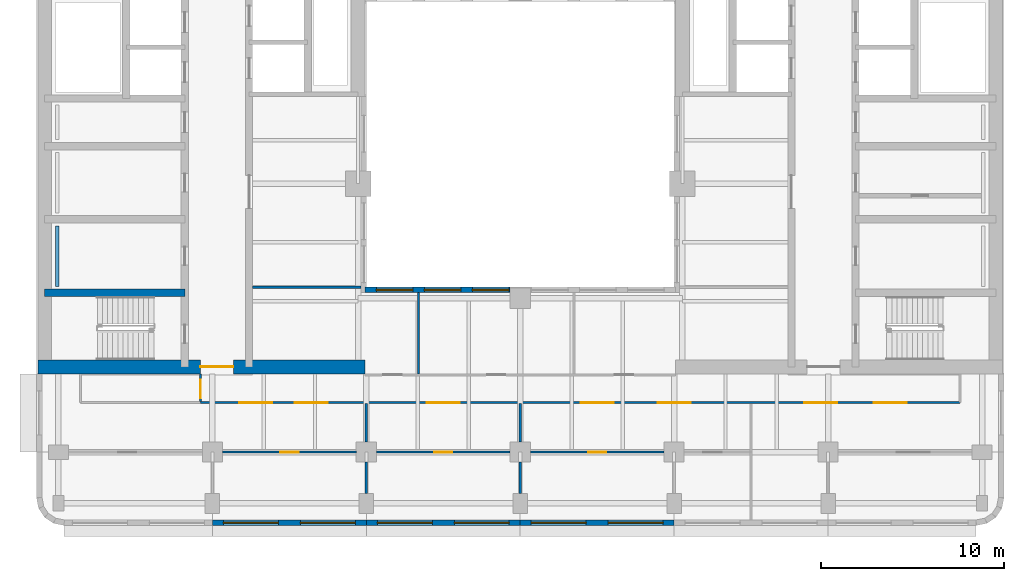
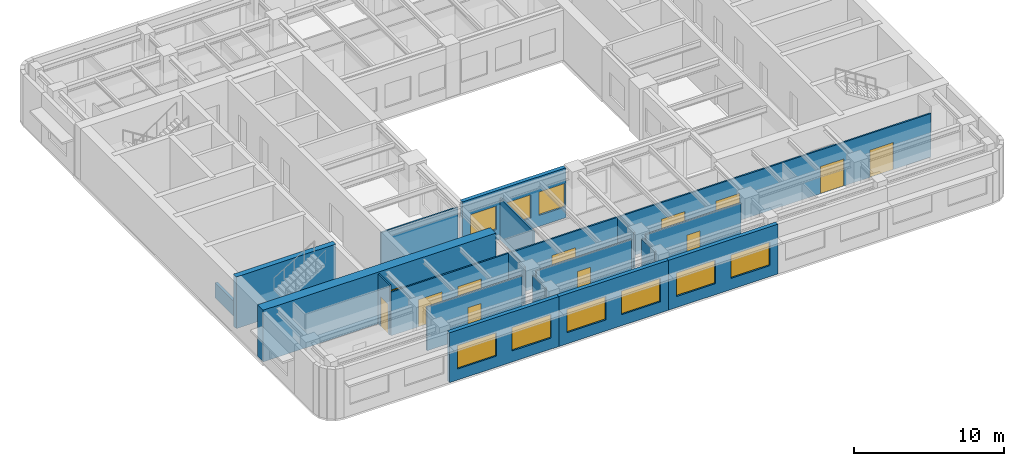
# One storey, part 3 of 11: 18 walls, 12 doors, 9 windows, 21 openings.
"""IFC4 building model written with IfcOpenShell, lengths in metres."""

from ifc_helpers import new_model, si_unit, direction, frame, frame_2d, origin, place, context, subcontext, project, spatial, rectangle, extrude, material, layer, layer_set, type_object, element, fill, save


model = new_model("IFC4")

# Units and contexts
model_context = context("Model", 3, precision=1e-05, world=origin(), true_north=direction((0.0, 1.0)))
body_context = subcontext(model_context, "Body", "Model", "MODEL_VIEW")
ifc_project = project(units=[si_unit("LENGTHUNIT", "METRE"), si_unit("AREAUNIT", "SQUARE_METRE"), si_unit("VOLUMEUNIT", "CUBIC_METRE"), si_unit("PLANEANGLEUNIT", "RADIAN"), si_unit("MASSUNIT", "GRAM", prefix="KILO")], contexts=[model_context])

# Site, building, storey
site_placement = place(None, origin())
site = spatial("IfcSite", under=ifc_project, at=site_placement, CompositionType="ELEMENT")
building_placement = place(site_placement, origin())
building = spatial("IfcBuilding", under=site, at=building_placement, Name="Claustro Exchange Tower", CompositionType="ELEMENT")
storey_placement = place(building_placement, frame((0.0, 0.0, 219.60009765625)))
storey = spatial("IfcBuildingStorey", under=building, at=storey_placement, Name="L50", CompositionType="ELEMENT", Elevation=219.60009765625)

# Wall
ifc_material_1 = material(Name="Laminated glass in aluminium frame", Category="aluminium")
ifc_layer_1 = layer(ifc_material_1, 0.1201171875)
ifc_layer_set_1 = layer_set([ifc_layer_1], Name="Laminated glass in aluminium frame")
wall_type_1 = type_object("IfcWallType", Name="P2 120 glazed partition", PredefinedType="PARTITIONING", material=ifc_layer_set_1)
wall_1_placement = place(storey_placement, frame((10.597900390625, 17.39990234375, 0.0), z_axis=(0.0, 0.0, 1.0), x_axis=(1.0, 0.0, 0.0)))
element("IfcWall", 1, at=wall_1_placement, inside=storey, type_object=wall_type_1, Name="Partition P2 L50", PredefinedType="PARTITIONING", context=body_context, shape_type="SweptSolid", body=[
    extrude(rectangle(XDim=5.904052734375, YDim=0.1201171875, at=frame_2d((2.9521484375, 0.0))), origin(), (0.0, 0.0, 1.0), 3.5498046875),
])

# Wall, opening, door
wall_2_placement = place(storey_placement, frame((8.948974609375, 8.39990234375, 0.0), z_axis=(0.0, 0.0, 1.0), x_axis=(1.0, 0.0, 0.0)))
wall_2 = element("IfcWall", 2, at=wall_2_placement, inside=storey, type_object=wall_type_1, Name="Partition P2 L50", PredefinedType="PARTITIONING", context=body_context, shape_type="SweptSolid", body=[
    extrude(rectangle(XDim=7.302001953125, YDim=0.1201171875, at=frame_2d((3.65087890625, 0.0))), origin(), (0.0, 0.0, 1.0), 3.5498046875),
])
opening_1_placement = place(wall_2_placement, frame((3.15087890625, 0.0, 0.0)))
opening_1 = element("IfcOpeningElement", 3, at=opening_1_placement, cuts=wall_2, Name="Opening D7", PredefinedType="OPENING", context=body_context, shape_type="SweptSolid", body=[
    extrude(rectangle(XDim=1.0, YDim=2.39990234375, at=frame_2d((0.5, 1.199951171875))), frame((0.0, 0.070068359375, 0.0), z_axis=(0.0, -1.0, 0.0), x_axis=(1.0, 0.0, 0.0)), (0.0, 0.0, 1.0), 0.14013671875),
])
ifc_material_2 = material(Name="Glass door in aluminium frame", Category="aluminium")
door_type_1 = type_object("IfcDoorType", Name="D7 1000 x 2400 glazed door", OperationType="SINGLE_SWING_LEFT", PredefinedType="DOOR", material=ifc_material_2)
door_1_placement = place(opening_1_placement, frame((1.0, 0.0, 0.0), z_axis=(0.0, 0.0, 1.0), x_axis=(-1.0, 0.0, 0.0)))
door_1 = element("IfcDoor", 4, at=door_1_placement, inside=storey, type_object=door_type_1, Name="Door D7 L50", OperationType="SINGLE_SWING_RIGHT", OverallHeight=2.39990234375, OverallWidth=1.0, PredefinedType="DOOR", context=body_context, shape_type="SweptSolid", body=[
    extrude(rectangle(XDim=1.0, YDim=2.39990234375, at=frame_2d((0.5, 1.199951171875))), frame((0.0, 0.02490234375, 0.0), z_axis=(0.0, -1.0, 0.0), x_axis=(1.0, 0.0, 0.0)), (0.0, 0.0, 1.0), 0.050048828125),
])
fill(opening_1, door_1)

wall_3_placement = place(storey_placement, frame((17.34912109375, 8.39990234375, 0.0), z_axis=(0.0, 0.0, 1.0), x_axis=(1.0, 0.0, 0.0)))
wall_3 = element("IfcWall", 5, at=wall_3_placement, inside=storey, type_object=wall_type_1, Name="Partition P2 L50", PredefinedType="PARTITIONING", context=body_context, shape_type="SweptSolid", body=[
    extrude(rectangle(XDim=7.3017578125, YDim=0.1201171875, at=frame_2d((3.65087890625, 0.0))), origin(), (0.0, 0.0, 1.0), 3.5498046875),
])
opening_2_placement = place(wall_3_placement, frame((3.15087890625, 0.0, 0.0)))
opening_2 = element("IfcOpeningElement", 6, at=opening_2_placement, cuts=wall_3, Name="Opening D7", PredefinedType="OPENING", context=body_context, shape_type="SweptSolid", body=[
    extrude(rectangle(XDim=1.0, YDim=2.39990234375, at=frame_2d((0.5, 1.199951171875))), frame((0.0, 0.070068359375, 0.0), z_axis=(0.0, -1.0, 0.0), x_axis=(1.0, 0.0, 0.0)), (0.0, 0.0, 1.0), 0.14013671875),
])
door_2_placement = place(opening_2_placement, origin())
door_2 = element("IfcDoor", 7, at=door_2_placement, inside=storey, type_object=door_type_1, Name="Door D7 L50", OperationType="SINGLE_SWING_LEFT", OverallHeight=2.39990234375, OverallWidth=1.0, PredefinedType="DOOR", context=body_context, shape_type="SweptSolid", body=[
    extrude(rectangle(XDim=1.0, YDim=2.39990234375, at=frame_2d((0.5, 1.199951171875))), frame((0.0, 0.02490234375, 0.0), z_axis=(0.0, -1.0, 0.0), x_axis=(1.0, 0.0, 0.0)), (0.0, 0.0, 1.0), 0.050048828125),
])
fill(opening_2, door_2)

wall_4_placement = place(storey_placement, frame((25.7490234375, 8.39990234375, 0.0), z_axis=(0.0, 0.0, 1.0), x_axis=(1.0, 0.0, 0.0)))
wall_4 = element("IfcWall", 8, at=wall_4_placement, inside=storey, type_object=wall_type_1, Name="Partition P2 L50", PredefinedType="PARTITIONING", context=body_context, shape_type="SweptSolid", body=[
    extrude(rectangle(XDim=7.302001953125, YDim=0.1201171875, at=frame_2d((3.65087890625, 0.0))), origin(), (0.0, 0.0, 1.0), 3.5498046875),
])
opening_3_placement = place(wall_4_placement, frame((3.15087890625, 0.0, 0.0)))
opening_3 = element("IfcOpeningElement", 9, at=opening_3_placement, cuts=wall_4, Name="Opening D7", PredefinedType="OPENING", context=body_context, shape_type="SweptSolid", body=[
    extrude(rectangle(XDim=1.0, YDim=2.39990234375, at=frame_2d((0.5, 1.199951171875))), frame((0.0, 0.070068359375, 0.0), z_axis=(0.0, -1.0, 0.0), x_axis=(1.0, 0.0, 0.0)), (0.0, 0.0, 1.0), 0.14013671875),
])
door_3_placement = place(opening_3_placement, frame((1.0, 0.0, 0.0), z_axis=(0.0, 0.0, 1.0), x_axis=(-1.0, 0.0, 0.0)))
door_3 = element("IfcDoor", 10, at=door_3_placement, inside=storey, type_object=door_type_1, Name="Door D7 L50", OperationType="SINGLE_SWING_RIGHT", OverallHeight=2.39990234375, OverallWidth=1.0, PredefinedType="DOOR", context=body_context, shape_type="SweptSolid", body=[
    extrude(rectangle(XDim=1.0, YDim=2.39990234375, at=frame_2d((0.5, 1.199951171875))), frame((0.0, 0.02490234375, 0.0), z_axis=(0.0, -1.0, 0.0), x_axis=(1.0, 0.0, 0.0)), (0.0, 0.0, 1.0), 0.050048828125),
])
fill(opening_3, door_3)

# Walls
for number, where, z_axis, x_axis, name in (
    (11, (16.800048828125, 6.14892578125, 0.0), (0.0, 0.0, 1.0), (0.0, 1.0, 0.0), "Partition P2 L50"),
    (12, (25.199951171875, 6.14892578125, 0.0), (0.0, 0.0, 1.0), (0.0, 1.0, 0.0), "Partition P2 L50"),
):
    element("IfcWall", number, at=place(storey_placement, frame(where, z_axis=z_axis, x_axis=x_axis)), inside=storey, type_object=wall_type_1, Name=name, PredefinedType="PARTITIONING", context=body_context, shape_type="SweptSolid", body=[
        extrude(rectangle(XDim=1.7021484375, YDim=0.1201171875, at=frame_2d((0.85107421875, 0.0))), origin(), (0.0, 0.0, 1.0), 3.68994140625),
    ])
wall_5_placement = place(storey_placement, frame((16.800048828125, 8.948974609375, 0.0), z_axis=(0.0, 0.0, 1.0), x_axis=(0.0, 1.0, 0.0)))
element("IfcWall", 13, at=wall_5_placement, inside=storey, type_object=wall_type_1, Name="Partition P2 L50", PredefinedType="PARTITIONING", context=body_context, shape_type="SweptSolid", body=[
    extrude(rectangle(XDim=2.093017578125, YDim=0.1201171875, at=frame_2d((1.04638671875, 0.0))), origin(), (0.0, 0.0, 1.0), 3.68994140625),
])
wall_6_placement = place(storey_placement, frame((25.199951171875, 8.948974609375, 0.0), z_axis=(0.0, 0.0, 1.0), x_axis=(0.0, 1.0, 0.0)))
element("IfcWall", 14, at=wall_6_placement, inside=storey, type_object=wall_type_1, Name="Partition P2 L50", PredefinedType="PARTITIONING", context=body_context, shape_type="SweptSolid", body=[
    extrude(rectangle(XDim=2.093017578125, YDim=0.1201171875, at=frame_2d((1.04638671875, 0.0))), origin(), (0.0, 0.0, 1.0), 3.5498046875),
])

# Wall, openings, doors
wall_7_placement = place(storey_placement, frame((7.748046875, 11.10009765625, 0.0), z_axis=(0.0, 0.0, 1.0), x_axis=(1.0, 0.0, 0.0)))
wall_7 = element("IfcWall", 15, at=wall_7_placement, inside=storey, type_object=wall_type_1, Name="Partition P2 L50", PredefinedType="PARTITIONING", context=body_context, shape_type="SweptSolid", body=[
    extrude(rectangle(XDim=41.451904296875, YDim=0.1201171875, at=frame_2d((20.72607421875, 0.0))), origin(), (0.0, 0.0, 1.0), 3.5498046875),
])
opening_4_placement = place(wall_7_placement, frame((2.11865234375, 0.0, 0.0)))
opening_4 = element("IfcOpeningElement", 16, at=opening_4_placement, cuts=wall_7, Name="Opening D2", PredefinedType="OPENING", context=body_context, shape_type="SweptSolid", body=[
    extrude(rectangle(XDim=1.800048828125, YDim=2.199951171875, at=frame_2d((0.89990234375, 1.10009765625))), frame((0.0, 0.070068359375, 0.0), z_axis=(0.0, -1.0, 0.0), x_axis=(1.0, 0.0, 0.0)), (0.0, 0.0, 1.0), 0.14013671875),
])
opening_5_placement = place(wall_7_placement, frame((5.13525390625, 0.0, 0.0)))
opening_5 = element("IfcOpeningElement", 17, at=opening_5_placement, cuts=wall_7, Name="Opening D2", PredefinedType="OPENING", context=body_context, shape_type="SweptSolid", body=[
    extrude(rectangle(XDim=1.800048828125, YDim=2.199951171875, at=frame_2d((0.89990234375, 1.10009765625))), frame((0.0, 0.070068359375, 0.0), z_axis=(0.0, -1.0, 0.0), x_axis=(1.0, 0.0, 0.0)), (0.0, 0.0, 1.0), 0.14013671875),
])
opening_6_placement = place(wall_7_placement, frame((12.35205078125, 0.0, 0.0)))
opening_6 = element("IfcOpeningElement", 18, at=opening_6_placement, cuts=wall_7, Name="Opening D2", PredefinedType="OPENING", context=body_context, shape_type="SweptSolid", body=[
    extrude(rectangle(XDim=1.800048828125, YDim=2.199951171875, at=frame_2d((0.89990234375, 1.10009765625))), frame((0.0, 0.070068359375, 0.0), z_axis=(0.0, -1.0, 0.0), x_axis=(1.0, 0.0, 0.0)), (0.0, 0.0, 1.0), 0.14013671875),
])
opening_7_placement = place(wall_7_placement, frame((20.751953125, 0.0, 0.0)))
opening_7 = element("IfcOpeningElement", 19, at=opening_7_placement, cuts=wall_7, Name="Opening D2", PredefinedType="OPENING", context=body_context, shape_type="SweptSolid", body=[
    extrude(rectangle(XDim=1.800048828125, YDim=2.199951171875, at=frame_2d((0.89990234375, 1.10009765625))), frame((0.0, 0.070068359375, 0.0), z_axis=(0.0, -1.0, 0.0), x_axis=(1.0, 0.0, 0.0)), (0.0, 0.0, 1.0), 0.14013671875),
])
opening_8_placement = place(wall_7_placement, frame((24.951904296875, 0.0, 0.0)))
opening_8 = element("IfcOpeningElement", 20, at=opening_8_placement, cuts=wall_7, Name="Opening D2", PredefinedType="OPENING", context=body_context, shape_type="SweptSolid", body=[
    extrude(rectangle(XDim=1.800048828125, YDim=2.199951171875, at=frame_2d((0.89990234375, 1.10009765625))), frame((0.0, 0.070068359375, 0.0), z_axis=(0.0, -1.0, 0.0), x_axis=(1.0, 0.0, 0.0)), (0.0, 0.0, 1.0), 0.14013671875),
])
opening_9_placement = place(wall_7_placement, frame((32.951904296875, 0.0, 0.0)))
opening_9 = element("IfcOpeningElement", 21, at=opening_9_placement, cuts=wall_7, Name="Opening D2", PredefinedType="OPENING", context=body_context, shape_type="SweptSolid", body=[
    extrude(rectangle(XDim=1.800048828125, YDim=2.199951171875, at=frame_2d((0.89990234375, 1.10009765625))), frame((0.0, 0.070068359375, 0.0), z_axis=(0.0, -1.0, 0.0), x_axis=(1.0, 0.0, 0.0)), (0.0, 0.0, 1.0), 0.14013671875),
])
opening_10_placement = place(wall_7_placement, frame((36.751953125, 0.0, 0.0)))
opening_10 = element("IfcOpeningElement", 22, at=opening_10_placement, cuts=wall_7, Name="Opening D2", PredefinedType="OPENING", context=body_context, shape_type="SweptSolid", body=[
    extrude(rectangle(XDim=1.800048828125, YDim=2.199951171875, at=frame_2d((0.89990234375, 1.10009765625))), frame((0.0, 0.070068359375, 0.0), z_axis=(0.0, -1.0, 0.0), x_axis=(1.0, 0.0, 0.0)), (0.0, 0.0, 1.0), 0.14013671875),
])
ifc_material_3 = material(Name="Timber door, oak veneer", Category="wood")
door_type_2 = type_object("IfcDoorType", Name="D2 1800 x 2200 double door", OperationType="DOUBLE_DOOR_SINGLE_SWING", PredefinedType="DOOR", material=ifc_material_3)
door_4_placement = place(opening_4_placement, frame((1.800048828125, 0.0, 0.0), z_axis=(0.0, 0.0, 1.0), x_axis=(-1.0, 0.0, 0.0)))
door_4 = element("IfcDoor", 23, at=door_4_placement, inside=storey, type_object=door_type_2, Name="Double door D2 L50", OperationType="DOUBLE_DOOR_SINGLE_SWING", OverallHeight=2.199951171875, OverallWidth=1.800048828125, PredefinedType="DOOR", context=body_context, shape_type="SweptSolid", body=[
    extrude(rectangle(XDim=1.800048828125, YDim=2.199951171875, at=frame_2d((0.89990234375, 1.10009765625))), frame((0.0, 0.02490234375, 0.0), z_axis=(0.0, -1.0, 0.0), x_axis=(1.0, 0.0, 0.0)), (0.0, 0.0, 1.0), 0.050048828125),
])
fill(opening_4, door_4)
door_5_placement = place(opening_5_placement, frame((1.800048828125, 0.0, 0.0), z_axis=(0.0, 0.0, 1.0), x_axis=(-1.0, 0.0, 0.0)))
door_5 = element("IfcDoor", 24, at=door_5_placement, inside=storey, type_object=door_type_2, Name="Double door D2 L50", OperationType="DOUBLE_DOOR_SINGLE_SWING", OverallHeight=2.199951171875, OverallWidth=1.800048828125, PredefinedType="DOOR", context=body_context, shape_type="SweptSolid", body=[
    extrude(rectangle(XDim=1.800048828125, YDim=2.199951171875, at=frame_2d((0.89990234375, 1.10009765625))), frame((0.0, 0.02490234375, 0.0), z_axis=(0.0, -1.0, 0.0), x_axis=(1.0, 0.0, 0.0)), (0.0, 0.0, 1.0), 0.050048828125),
])
fill(opening_5, door_5)
door_6_placement = place(opening_6_placement, frame((1.800048828125, 0.0, 0.0), z_axis=(0.0, 0.0, 1.0), x_axis=(-1.0, 0.0, 0.0)))
door_6 = element("IfcDoor", 25, at=door_6_placement, inside=storey, type_object=door_type_2, Name="Double door D2 L50", OperationType="DOUBLE_DOOR_SINGLE_SWING", OverallHeight=2.199951171875, OverallWidth=1.800048828125, PredefinedType="DOOR", context=body_context, shape_type="SweptSolid", body=[
    extrude(rectangle(XDim=1.800048828125, YDim=2.199951171875, at=frame_2d((0.89990234375, 1.10009765625))), frame((0.0, 0.02490234375, 0.0), z_axis=(0.0, -1.0, 0.0), x_axis=(1.0, 0.0, 0.0)), (0.0, 0.0, 1.0), 0.050048828125),
])
fill(opening_6, door_6)
door_7_placement = place(opening_7_placement, frame((1.800048828125, 0.0, 0.0), z_axis=(0.0, 0.0, 1.0), x_axis=(-1.0, 0.0, 0.0)))
door_7 = element("IfcDoor", 26, at=door_7_placement, inside=storey, type_object=door_type_2, Name="Double door D2 L50", OperationType="DOUBLE_DOOR_SINGLE_SWING", OverallHeight=2.199951171875, OverallWidth=1.800048828125, PredefinedType="DOOR", context=body_context, shape_type="SweptSolid", body=[
    extrude(rectangle(XDim=1.800048828125, YDim=2.199951171875, at=frame_2d((0.89990234375, 1.10009765625))), frame((0.0, 0.02490234375, 0.0), z_axis=(0.0, -1.0, 0.0), x_axis=(1.0, 0.0, 0.0)), (0.0, 0.0, 1.0), 0.050048828125),
])
fill(opening_7, door_7)
door_8_placement = place(opening_8_placement, frame((1.800048828125, 0.0, 0.0), z_axis=(0.0, 0.0, 1.0), x_axis=(-1.0, 0.0, 0.0)))
door_8 = element("IfcDoor", 27, at=door_8_placement, inside=storey, type_object=door_type_2, Name="Double door D2 L50", OperationType="DOUBLE_DOOR_SINGLE_SWING", OverallHeight=2.199951171875, OverallWidth=1.800048828125, PredefinedType="DOOR", context=body_context, shape_type="SweptSolid", body=[
    extrude(rectangle(XDim=1.800048828125, YDim=2.199951171875, at=frame_2d((0.89990234375, 1.10009765625))), frame((0.0, 0.02490234375, 0.0), z_axis=(0.0, -1.0, 0.0), x_axis=(1.0, 0.0, 0.0)), (0.0, 0.0, 1.0), 0.050048828125),
])
fill(opening_8, door_8)
door_9_placement = place(opening_9_placement, frame((1.800048828125, 0.0, 0.0), z_axis=(0.0, 0.0, 1.0), x_axis=(-1.0, 0.0, 0.0)))
door_9 = element("IfcDoor", 28, at=door_9_placement, inside=storey, type_object=door_type_2, Name="Double door D2 L50", OperationType="DOUBLE_DOOR_SINGLE_SWING", OverallHeight=2.199951171875, OverallWidth=1.800048828125, PredefinedType="DOOR", context=body_context, shape_type="SweptSolid", body=[
    extrude(rectangle(XDim=1.800048828125, YDim=2.199951171875, at=frame_2d((0.89990234375, 1.10009765625))), frame((0.0, 0.02490234375, 0.0), z_axis=(0.0, -1.0, 0.0), x_axis=(1.0, 0.0, 0.0)), (0.0, 0.0, 1.0), 0.050048828125),
])
fill(opening_9, door_9)
door_10_placement = place(opening_10_placement, frame((1.800048828125, 0.0, 0.0), z_axis=(0.0, 0.0, 1.0), x_axis=(-1.0, 0.0, 0.0)))
door_10 = element("IfcDoor", 29, at=door_10_placement, inside=storey, type_object=door_type_2, Name="Double door D2 L50", OperationType="DOUBLE_DOOR_SINGLE_SWING", OverallHeight=2.199951171875, OverallWidth=1.800048828125, PredefinedType="DOOR", context=body_context, shape_type="SweptSolid", body=[
    extrude(rectangle(XDim=1.800048828125, YDim=2.199951171875, at=frame_2d((0.89990234375, 1.10009765625))), frame((0.0, 0.02490234375, 0.0), z_axis=(0.0, -1.0, 0.0), x_axis=(1.0, 0.0, 0.0)), (0.0, 0.0, 1.0), 0.050048828125),
])
fill(opening_10, door_10)

# Wall, opening, door
wall_8_placement = place(storey_placement, frame((7.75, 11.157958984375, 0.0), z_axis=(0.0, 0.0, 1.0), x_axis=(0.0, 1.0, 0.0)))
wall_8 = element("IfcWall", 30, at=wall_8_placement, inside=storey, type_object=wall_type_1, Name="Partition P2 L50", PredefinedType="PARTITIONING", context=body_context, shape_type="SweptSolid", body=[
    extrude(rectangle(XDim=1.51806640625, YDim=0.1201171875, at=frame_2d((0.759033203125, 0.0))), origin(), (0.0, 0.0, 1.0), 4.0498046875),
])
opening_11_placement = place(wall_8_placement, frame((0.19189453125, 0.0, 0.0)))
opening_11 = element("IfcOpeningElement", 31, at=opening_11_placement, cuts=wall_8, Name="Opening D7", PredefinedType="OPENING", context=body_context, shape_type="SweptSolid", body=[
    extrude(rectangle(XDim=1.0, YDim=2.39990234375, at=frame_2d((0.5, 1.199951171875))), frame((0.0, 0.070068359375, 0.0), z_axis=(0.0, -1.0, 0.0), x_axis=(1.0, 0.0, 0.0)), (0.0, 0.0, 1.0), 0.14013671875),
])
door_11_placement = place(opening_11_placement, origin())
door_11 = element("IfcDoor", 32, at=door_11_placement, inside=storey, type_object=door_type_1, Name="Door D7 L50", OperationType="SINGLE_SWING_LEFT", OverallHeight=2.39990234375, OverallWidth=1.0, PredefinedType="DOOR", context=body_context, shape_type="SweptSolid", body=[
    extrude(rectangle(XDim=1.0, YDim=2.39990234375, at=frame_2d((0.5, 1.199951171875))), frame((0.0, 0.02490234375, 0.0), z_axis=(0.0, -1.0, 0.0), x_axis=(1.0, 0.0, 0.0)), (0.0, 0.0, 1.0), 0.050048828125),
])
fill(opening_11, door_11)

# Wall
wall_9_placement = place(storey_placement, frame((19.64990234375, 12.657958984375, 0.0), z_axis=(0.0, 0.0, 1.0), x_axis=(0.0, 1.0, 0.0)))
element("IfcWall", 33, at=wall_9_placement, inside=storey, type_object=wall_type_1, Name="Partition P2 L50", PredefinedType="PARTITIONING", context=body_context, shape_type="SweptSolid", body=[
    extrude(rectangle(XDim=4.444091796875, YDim=0.1201171875, at=frame_2d((2.22216796875, 0.0))), origin(), (0.0, 0.0, 1.0), 3.35986328125),
])

# Wall, openings, windows
ifc_material_4 = material(Name="Concrete HA-40 (C40/50), precast, white cement, acid-etched", Category="concrete")
ifc_layer_2 = layer(ifc_material_4, 0.300048828125)
ifc_layer_set_2 = layer_set([ifc_layer_2], Name="Concrete HA-40 (C40/50), precast, white cement, acid-etched")
wall_type_2 = type_object("IfcWallType", Name="PC1 300 precast concrete pier panel", PredefinedType="SOLIDWALL", material=ifc_layer_set_2)
wall_10_placement = place(storey_placement, frame((33.60009765625, 4.550048828125, 0.0), z_axis=(0.0, 0.0, 1.0), x_axis=(-1.0, 0.0, 0.0)))
wall_10 = element("IfcWall", 34, at=wall_10_placement, inside=storey, type_object=wall_type_2, Name="Precast pier panel PC1 L50", PredefinedType="SOLIDWALL", context=body_context, shape_type="SweptSolid", body=[
    extrude(rectangle(XDim=8.400146484375, YDim=0.300048828125, at=frame_2d((4.2001953125, 0.0))), origin(), (0.0, 0.0, 1.0), 4.0498046875),
])
opening_12_placement = place(wall_10_placement, frame((0.60009765625, 0.0, 0.89990234375)))
opening_12 = element("IfcOpeningElement", 35, at=opening_12_placement, cuts=wall_10, Name="Opening W1", PredefinedType="OPENING", context=body_context, shape_type="SweptSolid", body=[
    extrude(rectangle(XDim=3.0, YDim=1.89990234375, at=frame_2d((1.5, 0.949951171875))), frame((0.0, 0.159912109375, 0.0), z_axis=(0.0, -1.0, 0.0), x_axis=(1.0, 0.0, 0.0)), (0.0, 0.0, 1.0), 0.320068359375),
])
opening_13_placement = place(wall_10_placement, frame((4.800048828125, 0.0, 0.89990234375)))
opening_13 = element("IfcOpeningElement", 36, at=opening_13_placement, cuts=wall_10, Name="Opening W1", PredefinedType="OPENING", context=body_context, shape_type="SweptSolid", body=[
    extrude(rectangle(XDim=3.0, YDim=1.89990234375, at=frame_2d((1.5, 0.949951171875))), frame((0.0, 0.159912109375, 0.0), z_axis=(0.0, -1.0, 0.0), x_axis=(1.0, 0.0, 0.0)), (0.0, 0.0, 1.0), 0.320068359375),
])
ifc_material_5 = material(Name="Aluminium frame, clear double glazing", Category="aluminium")
window_type_1 = type_object("IfcWindowType", Name="W1 3000 x 1900 window", PartitioningType="SINGLE_PANEL", PredefinedType="WINDOW", material=ifc_material_5)
window_1_placement = place(opening_12_placement, origin())
window_1 = element("IfcWindow", 37, at=window_1_placement, inside=storey, type_object=window_type_1, Name="Window W1 L50", OverallHeight=1.89990234375, OverallWidth=3.0, PartitioningType="SINGLE_PANEL", PredefinedType="WINDOW", context=body_context, shape_type="SweptSolid", body=[
    extrude(rectangle(XDim=3.0, YDim=1.89990234375, at=frame_2d((1.5, 0.949951171875))), frame((0.0, 0.030029296875, 0.0), z_axis=(0.0, -1.0, 0.0), x_axis=(1.0, 0.0, 0.0)), (0.0, 0.0, 1.0), 0.06005859375),
])
fill(opening_12, window_1)
window_2_placement = place(opening_13_placement, origin())
window_2 = element("IfcWindow", 38, at=window_2_placement, inside=storey, type_object=window_type_1, Name="Window W1 L50", OverallHeight=1.89990234375, OverallWidth=3.0, PartitioningType="SINGLE_PANEL", PredefinedType="WINDOW", context=body_context, shape_type="SweptSolid", body=[
    extrude(rectangle(XDim=3.0, YDim=1.89990234375, at=frame_2d((1.5, 0.949951171875))), frame((0.0, 0.030029296875, 0.0), z_axis=(0.0, -1.0, 0.0), x_axis=(1.0, 0.0, 0.0)), (0.0, 0.0, 1.0), 0.06005859375),
])
fill(opening_13, window_2)

wall_11_placement = place(storey_placement, frame((25.199951171875, 4.550048828125, 0.0), z_axis=(0.0, 0.0, 1.0), x_axis=(-1.0, 0.0, 0.0)))
wall_11 = element("IfcWall", 39, at=wall_11_placement, inside=storey, type_object=wall_type_2, Name="Precast pier panel PC1 L50", PredefinedType="SOLIDWALL", context=body_context, shape_type="SweptSolid", body=[
    extrude(rectangle(XDim=8.39990234375, YDim=0.300048828125, at=frame_2d((4.199951171875, 0.0))), origin(), (0.0, 0.0, 1.0), 4.0498046875),
])
opening_14_placement = place(wall_11_placement, frame((0.60009765625, 0.0, 0.89990234375)))
opening_14 = element("IfcOpeningElement", 40, at=opening_14_placement, cuts=wall_11, Name="Opening W1", PredefinedType="OPENING", context=body_context, shape_type="SweptSolid", body=[
    extrude(rectangle(XDim=3.0, YDim=1.89990234375, at=frame_2d((1.5, 0.949951171875))), frame((0.0, 0.159912109375, 0.0), z_axis=(0.0, -1.0, 0.0), x_axis=(1.0, 0.0, 0.0)), (0.0, 0.0, 1.0), 0.320068359375),
])
opening_15_placement = place(wall_11_placement, frame((4.800048828125, 0.0, 0.89990234375)))
opening_15 = element("IfcOpeningElement", 41, at=opening_15_placement, cuts=wall_11, Name="Opening W1", PredefinedType="OPENING", context=body_context, shape_type="SweptSolid", body=[
    extrude(rectangle(XDim=3.0, YDim=1.89990234375, at=frame_2d((1.5, 0.949951171875))), frame((0.0, 0.159912109375, 0.0), z_axis=(0.0, -1.0, 0.0), x_axis=(1.0, 0.0, 0.0)), (0.0, 0.0, 1.0), 0.320068359375),
])
window_3_placement = place(opening_14_placement, origin())
window_3 = element("IfcWindow", 42, at=window_3_placement, inside=storey, type_object=window_type_1, Name="Window W1 L50", OverallHeight=1.89990234375, OverallWidth=3.0, PartitioningType="SINGLE_PANEL", PredefinedType="WINDOW", context=body_context, shape_type="SweptSolid", body=[
    extrude(rectangle(XDim=3.0, YDim=1.89990234375, at=frame_2d((1.5, 0.949951171875))), frame((0.0, 0.030029296875, 0.0), z_axis=(0.0, -1.0, 0.0), x_axis=(1.0, 0.0, 0.0)), (0.0, 0.0, 1.0), 0.06005859375),
])
fill(opening_14, window_3)
window_4_placement = place(opening_15_placement, origin())
window_4 = element("IfcWindow", 43, at=window_4_placement, inside=storey, type_object=window_type_1, Name="Window W1 L50", OverallHeight=1.89990234375, OverallWidth=3.0, PartitioningType="SINGLE_PANEL", PredefinedType="WINDOW", context=body_context, shape_type="SweptSolid", body=[
    extrude(rectangle(XDim=3.0, YDim=1.89990234375, at=frame_2d((1.5, 0.949951171875))), frame((0.0, 0.030029296875, 0.0), z_axis=(0.0, -1.0, 0.0), x_axis=(1.0, 0.0, 0.0)), (0.0, 0.0, 1.0), 0.06005859375),
])
fill(opening_15, window_4)

wall_12_placement = place(storey_placement, frame((16.800048828125, 4.550048828125, 0.0), z_axis=(0.0, 0.0, 1.0), x_axis=(-1.0, 0.0, 0.0)))
wall_12 = element("IfcWall", 44, at=wall_12_placement, inside=storey, type_object=wall_type_2, Name="Precast pier panel PC1 L50", PredefinedType="SOLIDWALL", context=body_context, shape_type="SweptSolid", body=[
    extrude(rectangle(XDim=8.400146484375, YDim=0.300048828125, at=frame_2d((4.2001953125, 0.0))), origin(), (0.0, 0.0, 1.0), 4.0498046875),
])
opening_16_placement = place(wall_12_placement, frame((0.60009765625, 0.0, 0.89990234375)))
opening_16 = element("IfcOpeningElement", 45, at=opening_16_placement, cuts=wall_12, Name="Opening W1", PredefinedType="OPENING", context=body_context, shape_type="SweptSolid", body=[
    extrude(rectangle(XDim=3.0, YDim=1.89990234375, at=frame_2d((1.5, 0.949951171875))), frame((0.0, 0.159912109375, 0.0), z_axis=(0.0, -1.0, 0.0), x_axis=(1.0, 0.0, 0.0)), (0.0, 0.0, 1.0), 0.320068359375),
])
opening_17_placement = place(wall_12_placement, frame((4.800048828125, 0.0, 0.89990234375)))
opening_17 = element("IfcOpeningElement", 46, at=opening_17_placement, cuts=wall_12, Name="Opening W1", PredefinedType="OPENING", context=body_context, shape_type="SweptSolid", body=[
    extrude(rectangle(XDim=3.0, YDim=1.89990234375, at=frame_2d((1.5, 0.949951171875))), frame((0.0, 0.159912109375, 0.0), z_axis=(0.0, -1.0, 0.0), x_axis=(1.0, 0.0, 0.0)), (0.0, 0.0, 1.0), 0.320068359375),
])
window_5_placement = place(opening_16_placement, origin())
window_5 = element("IfcWindow", 47, at=window_5_placement, inside=storey, type_object=window_type_1, Name="Window W1 L50", OverallHeight=1.89990234375, OverallWidth=3.0, PartitioningType="SINGLE_PANEL", PredefinedType="WINDOW", context=body_context, shape_type="SweptSolid", body=[
    extrude(rectangle(XDim=3.0, YDim=1.89990234375, at=frame_2d((1.5, 0.949951171875))), frame((0.0, 0.030029296875, 0.0), z_axis=(0.0, -1.0, 0.0), x_axis=(1.0, 0.0, 0.0)), (0.0, 0.0, 1.0), 0.06005859375),
])
fill(opening_16, window_5)
window_6_placement = place(opening_17_placement, origin())
window_6 = element("IfcWindow", 48, at=window_6_placement, inside=storey, type_object=window_type_1, Name="Window W1 L50", OverallHeight=1.89990234375, OverallWidth=3.0, PartitioningType="SINGLE_PANEL", PredefinedType="WINDOW", context=body_context, shape_type="SweptSolid", body=[
    extrude(rectangle(XDim=3.0, YDim=1.89990234375, at=frame_2d((1.5, 0.949951171875))), frame((0.0, 0.030029296875, 0.0), z_axis=(0.0, -1.0, 0.0), x_axis=(1.0, 0.0, 0.0)), (0.0, 0.0, 1.0), 0.06005859375),
])
fill(opening_17, window_6)

wall_13_placement = place(storey_placement, frame((16.72509765625, 17.25, 0.0), z_axis=(0.0, 0.0, 1.0), x_axis=(1.0, 0.0, 0.0)))
wall_13 = element("IfcWall", 49, at=wall_13_placement, inside=storey, type_object=wall_type_2, Name="Precast pier panel PC1 L50", PredefinedType="SOLIDWALL", context=body_context, shape_type="SweptSolid", body=[
    extrude(rectangle(XDim=7.9248046875, YDim=0.300048828125, at=frame_2d((3.96240234375, 0.0))), origin(), (0.0, 0.0, 1.0), 4.0498046875),
])
opening_18_placement = place(wall_13_placement, frame((0.61865234375, 0.0, 0.89990234375)))
opening_18 = element("IfcOpeningElement", 50, at=opening_18_placement, cuts=wall_13, Name="Opening W4", PredefinedType="OPENING", context=body_context, shape_type="SweptSolid", body=[
    extrude(rectangle(XDim=2.0, YDim=1.89990234375, at=frame_2d((1.0, 0.949951171875))), frame((0.0, 0.159912109375, 0.0), z_axis=(0.0, -1.0, 0.0), x_axis=(1.0, 0.0, 0.0)), (0.0, 0.0, 1.0), 0.320068359375),
])
opening_19_placement = place(wall_13_placement, frame((3.237548828125, 0.0, 0.89990234375)))
opening_19 = element("IfcOpeningElement", 51, at=opening_19_placement, cuts=wall_13, Name="Opening W4", PredefinedType="OPENING", context=body_context, shape_type="SweptSolid", body=[
    extrude(rectangle(XDim=2.0, YDim=1.89990234375, at=frame_2d((1.0, 0.949951171875))), frame((0.0, 0.159912109375, 0.0), z_axis=(0.0, -1.0, 0.0), x_axis=(1.0, 0.0, 0.0)), (0.0, 0.0, 1.0), 0.320068359375),
])
opening_20_placement = place(wall_13_placement, frame((5.856201171875, 0.0, 0.89990234375)))
opening_20 = element("IfcOpeningElement", 52, at=opening_20_placement, cuts=wall_13, Name="Opening W4", PredefinedType="OPENING", context=body_context, shape_type="SweptSolid", body=[
    extrude(rectangle(XDim=2.0, YDim=1.89990234375, at=frame_2d((1.0, 0.949951171875))), frame((0.0, 0.159912109375, 0.0), z_axis=(0.0, -1.0, 0.0), x_axis=(1.0, 0.0, 0.0)), (0.0, 0.0, 1.0), 0.320068359375),
])
ifc_material_6 = material(Name="Aluminium frame, clear double glazing", Category="aluminium")
window_type_2 = type_object("IfcWindowType", Name="W4 2000 x 1900 light well window", PartitioningType="SINGLE_PANEL", PredefinedType="WINDOW", material=ifc_material_6)
window_7_placement = place(opening_18_placement, origin())
window_7 = element("IfcWindow", 53, at=window_7_placement, inside=storey, type_object=window_type_2, Name="Window W4 L50", OverallHeight=1.89990234375, OverallWidth=2.0, PartitioningType="SINGLE_PANEL", PredefinedType="WINDOW", context=body_context, shape_type="SweptSolid", body=[
    extrude(rectangle(XDim=2.0, YDim=1.89990234375, at=frame_2d((1.0, 0.949951171875))), frame((0.0, 0.030029296875, 0.0), z_axis=(0.0, -1.0, 0.0), x_axis=(1.0, 0.0, 0.0)), (0.0, 0.0, 1.0), 0.06005859375),
])
fill(opening_18, window_7)
window_8_placement = place(opening_19_placement, origin())
window_8 = element("IfcWindow", 54, at=window_8_placement, inside=storey, type_object=window_type_2, Name="Window W4 L50", OverallHeight=1.89990234375, OverallWidth=2.0, PartitioningType="SINGLE_PANEL", PredefinedType="WINDOW", context=body_context, shape_type="SweptSolid", body=[
    extrude(rectangle(XDim=2.0, YDim=1.89990234375, at=frame_2d((1.0, 0.949951171875))), frame((0.0, 0.030029296875, 0.0), z_axis=(0.0, -1.0, 0.0), x_axis=(1.0, 0.0, 0.0)), (0.0, 0.0, 1.0), 0.06005859375),
])
fill(opening_19, window_8)
window_9_placement = place(opening_20_placement, origin())
window_9 = element("IfcWindow", 55, at=window_9_placement, inside=storey, type_object=window_type_2, Name="Window W4 L50", OverallHeight=1.89990234375, OverallWidth=2.0, PartitioningType="SINGLE_PANEL", PredefinedType="WINDOW", context=body_context, shape_type="SweptSolid", body=[
    extrude(rectangle(XDim=2.0, YDim=1.89990234375, at=frame_2d((1.0, 0.949951171875))), frame((0.0, 0.030029296875, 0.0), z_axis=(0.0, -1.0, 0.0), x_axis=(1.0, 0.0, 0.0)), (0.0, 0.0, 1.0), 0.06005859375),
])
fill(opening_20, window_9)

# Wall
ifc_material_7 = material(Name="Gypsum board on steel studs, tiled", Category="steel")
ifc_layer_3 = layer(ifc_material_7, 0.199951171875)
ifc_layer_set_3 = layer_set([ifc_layer_3], Name="Gypsum board on steel studs, tiled")
wall_type_3 = type_object("IfcWallType", Name="PW1 200 WC duct wall", PredefinedType="PLUMBINGWALL", material=ifc_layer_set_3)
wall_14_placement = place(storey_placement, frame((-0.074951171875, 17.449951171875, 0.0), z_axis=(0.0, 0.0, 1.0), x_axis=(0.0, 1.0, 0.0)))
element("IfcWall", 56, at=wall_14_placement, inside=storey, type_object=wall_type_3, Name="WC duct wall PW1 L50", PredefinedType="PLUMBINGWALL", context=body_context, shape_type="SweptSolid", body=[
    extrude(rectangle(XDim=3.300048828125, YDim=0.199951171875, at=frame_2d((1.64990234375, 0.0))), origin(), (0.0, 0.0, 1.0), 1.199951171875),
])

# Wall, opening, door
ifc_material_8 = material(Name="Concrete HA-70 (C70/85)", Category="concrete")
ifc_layer_4 = layer(ifc_material_8, 0.75)
ifc_layer_set_4 = layer_set([ifc_layer_4], Name="Concrete HA-70 (C70/85)")
wall_type_4 = type_object("IfcWallType", Name="SW2 750 core shear wall", PredefinedType="SHEAR", material=ifc_layer_set_4)
wall_15_placement = place(storey_placement, frame((-1.125, 13.050048828125, 0.0), z_axis=(0.0, 0.0, 1.0), x_axis=(1.0, 0.0, 0.0)))
wall_15 = element("IfcWall", 57, at=wall_15_placement, inside=storey, type_object=wall_type_4, Name="Core wall SW2 W core S face L50", PredefinedType="SHEAR", context=body_context, shape_type="SweptSolid", body=[
    extrude(rectangle(XDim=17.85009765625, YDim=0.75, at=frame_2d((8.925048828125, 0.0))), origin(), (0.0, 0.0, 1.0), 4.199951171875),
])
opening_21_placement = place(wall_15_placement, frame((8.875, 0.0, 0.0)))
opening_21 = element("IfcOpeningElement", 58, at=opening_21_placement, cuts=wall_15, Name="Opening D3", PredefinedType="OPENING", context=body_context, shape_type="SweptSolid", body=[
    extrude(rectangle(XDim=1.800048828125, YDim=2.39990234375, at=frame_2d((0.89990234375, 1.199951171875))), frame((0.0, 0.385009765625, 0.0), z_axis=(0.0, -1.0, 0.0), x_axis=(1.0, 0.0, 0.0)), (0.0, 0.0, 1.0), 0.77001953125),
])
ifc_material_9 = material(Name="Steel fire door, painted", Category="steel")
door_type_3 = type_object("IfcDoorType", Name="D3 1800 x 2400 fire-rated lobby double door", OperationType="DOUBLE_DOOR_SINGLE_SWING", PredefinedType="DOOR", material=ifc_material_9)
door_12_placement = place(opening_21_placement, origin())
door_12 = element("IfcDoor", 59, at=door_12_placement, inside=storey, type_object=door_type_3, Name="Lift lobby door D3 L50", OperationType="DOUBLE_DOOR_SINGLE_SWING", OverallHeight=2.39990234375, OverallWidth=1.800048828125, PredefinedType="DOOR", context=body_context, shape_type="SweptSolid", body=[
    extrude(rectangle(XDim=1.800048828125, YDim=2.39990234375, at=frame_2d((0.89990234375, 1.199951171875))), frame((0.0, 0.02490234375, 0.0), z_axis=(0.0, -1.0, 0.0), x_axis=(1.0, 0.0, 0.0)), (0.0, 0.0, 1.0), 0.050048828125),
])
fill(opening_21, door_12)

# Wall
ifc_material_10 = material(Name="Concrete HA-50 (C50/60)", Category="concrete")
ifc_layer_5 = layer(ifc_material_10, 0.39990234375)
ifc_layer_set_5 = layer_set([ifc_layer_5], Name="Concrete HA-50 (C50/60)")
wall_type_5 = type_object("IfcWallType", Name="SW4 400 internal core wall", PredefinedType="SHEAR", material=ifc_layer_set_5)
wall_16_placement = place(storey_placement, frame((-0.75, 17.10009765625, 0.0), z_axis=(0.0, 0.0, 1.0), x_axis=(1.0, 0.0, 0.0)))
element("IfcWall", 60, at=wall_16_placement, inside=storey, type_object=wall_type_5, Name="Internal core wall SW4 W core L50", PredefinedType="SHEAR", context=body_context, shape_type="SweptSolid", body=[
    extrude(rectangle(XDim=7.64990234375, YDim=0.39990234375, at=frame_2d((3.824951171875, 0.0))), origin(), (0.0, 0.0, 1.0), 4.199951171875),
])

save(model, "model.ifc")
